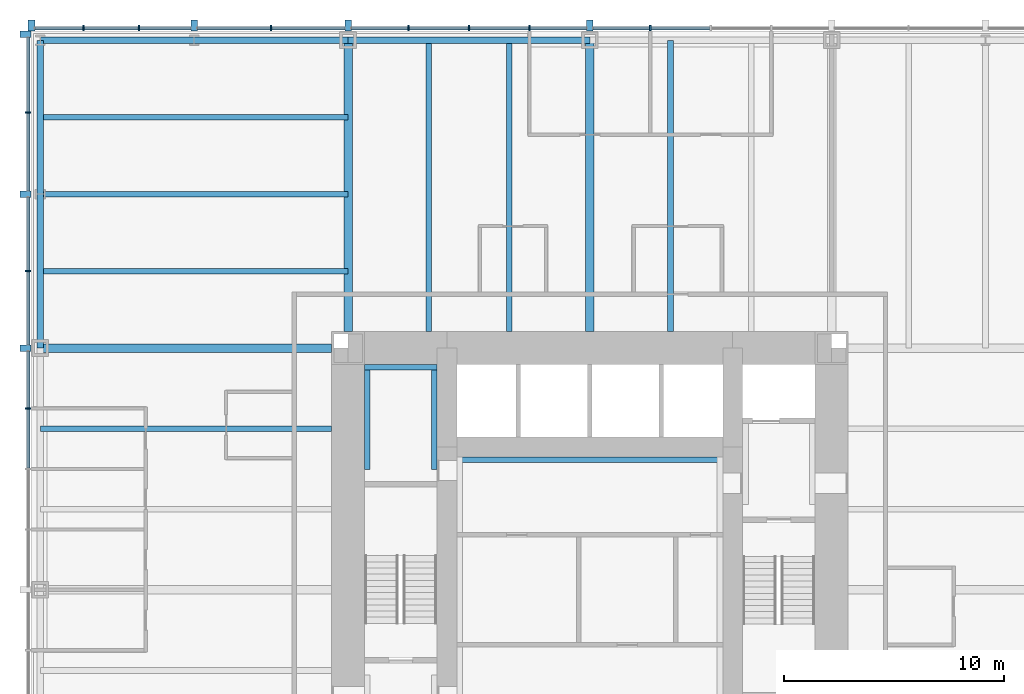
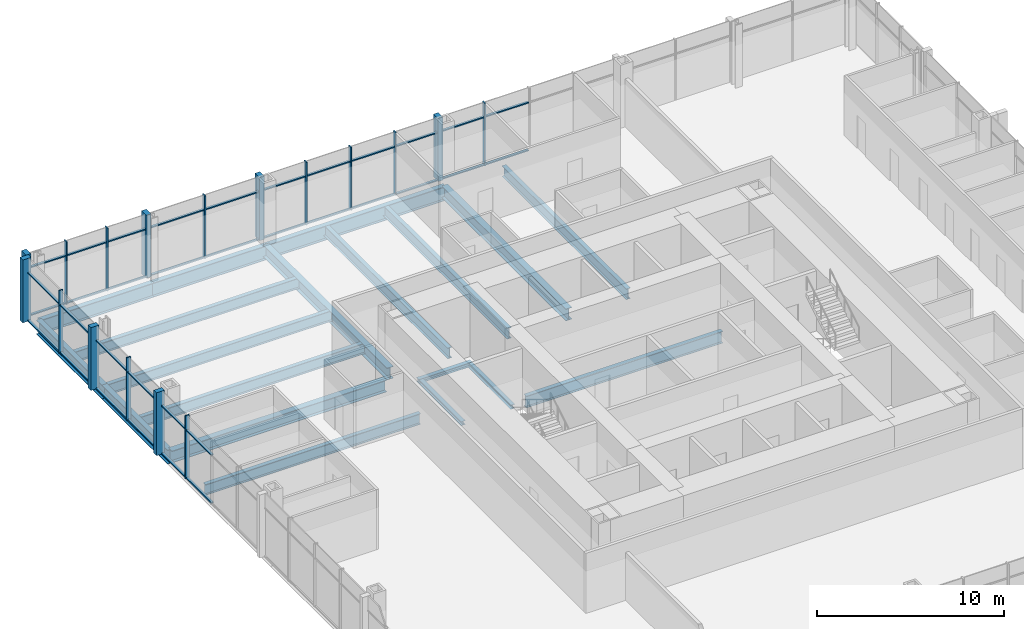
# One storey, part 5 of 12: 51 members, 19 beams, 2 elements without a shape of their own.
"""IFC4 building model written with IfcOpenShell, lengths in metres."""

from ifc_helpers import new_model, si_unit, direction, frame, origin, origin_2d, place, context, subcontext, project, spatial, rectangle, i_section, extrude, material, material_profile, profile_set, type_object, element, aggregate, save


model = new_model("IFC4")

# Units and contexts
model_context = context("Model", 3, precision=1e-05, world=origin(), true_north=direction((0.0, 1.0)))
body_context = subcontext(model_context, "Body", "Model", "MODEL_VIEW")
ifc_project = project(units=[si_unit("LENGTHUNIT", "METRE"), si_unit("AREAUNIT", "SQUARE_METRE"), si_unit("VOLUMEUNIT", "CUBIC_METRE"), si_unit("PLANEANGLEUNIT", "RADIAN"), si_unit("MASSUNIT", "GRAM", prefix="KILO")], contexts=[model_context])

# Site, building, storey
site_placement = place(None, origin())
site = spatial("IfcSite", under=ifc_project, at=site_placement, CompositionType="ELEMENT")
building_placement = place(site_placement, origin())
building = spatial("IfcBuilding", under=site, at=building_placement, Name="Trevanion Tower", CompositionType="ELEMENT")
storey_placement = place(building_placement, frame((0.0, 0.0, 48.800048828125)))
storey = spatial("IfcBuildingStorey", under=building, at=storey_placement, Name="L11", CompositionType="ELEMENT", Elevation=48.800048828125)

# Beams
ifc_material_1 = material(Name="Steel ASTM A992 Grade 50", Category="steel")
ifc_material_profile_1 = material_profile(ifc_material_1, i_section(OverallWidth=0.25390625, OverallDepth=0.700927734375, WebThickness=0.015380859375, FlangeThickness=0.02783203125, at=origin_2d()), Name="W27X129")
ifc_profile_set_1 = profile_set([ifc_material_profile_1], Name="Steel ASTM A992 Grade 50")
beam_type_1 = type_object("IfcBeamType", Name="B3 W27X129", PredefinedType="BEAM", material=ifc_profile_set_1)
for number, where, z_axis, x_axis, name in (
    (1, (3.666748046875, 11.75, -0.54052734375), (0.0, 1.0, 0.0), (-1.0, 0.0, 0.0), "B3 L11"),
    (2, (-3.666748046875, 11.75, -0.54052734375), (0.0, 1.0, 0.0), (-1.0, 0.0, 0.0), "B3 L11"),
    (3, (-7.333251953125, 11.75, -0.54052734375), (0.0, 1.0, 0.0), (-1.0, 0.0, 0.0), "B3 L11"),
    (4, (-11.75, 7.333251953125, -0.54052734375), (-1.0, 0.0, 0.0), (0.0, -1.0, 0.0), "B3 L11"),
):
    element("IfcBeam", number, at=place(storey_placement, frame(where, z_axis=z_axis, x_axis=x_axis)), inside=storey, type_object=beam_type_1, Name=name, PredefinedType="BEAM", context=body_context, shape_type="SweptSolid", body=[
        extrude(i_section(OverallWidth=0.25390625, OverallDepth=0.700927734375, WebThickness=0.015380859375, FlangeThickness=0.02783203125, at=origin_2d()), origin(), (0.0, 0.0, 1.0), 13.25),
    ])
ifc_material_2 = material(Name="Steel ASTM A992 Grade 50", Category="steel")
ifc_material_profile_2 = material_profile(ifc_material_2, i_section(OverallWidth=0.256591796875, OverallDepth=0.693359375, WebThickness=0.014404296875, FlangeThickness=0.023681640625, at=origin_2d()), Name="W27X114")
ifc_profile_set_2 = profile_set([ifc_material_profile_2], Name="Steel ASTM A992 Grade 50")
beam_type_2 = type_object("IfcBeamType", Name="B4 W27X114", PredefinedType="BEAM", material=ifc_profile_set_2)
for number, where, z_axis, x_axis, name in (
    (5, (-11.0, 14.5, -0.536865234375), (-1.0, 0.0, 0.0), (0.0, -1.0, 0.0), "B4 L11"),
    (6, (-11.0, 18.0, -0.536865234375), (-1.0, 0.0, 0.0), (0.0, -1.0, 0.0), "B4 L11"),
    (7, (-11.0, 21.5, -0.536865234375), (-1.0, 0.0, 0.0), (0.0, -1.0, 0.0), "B4 L11"),
):
    element("IfcBeam", number, at=place(storey_placement, frame(where, z_axis=z_axis, x_axis=x_axis)), inside=storey, type_object=beam_type_2, Name=name, PredefinedType="BEAM", context=body_context, shape_type="SweptSolid", body=[
        extrude(i_section(OverallWidth=0.256591796875, OverallDepth=0.693359375, WebThickness=0.014404296875, FlangeThickness=0.023681640625, at=origin_2d()), origin(), (0.0, 0.0, 1.0), 14.0),
    ])

# Curtain wall, members
ifc_material_3 = material(Name="Aluminium and glass", Category="aluminium")
curtain_wall_type = type_object("IfcCurtainWallType", Name="CW1 curtain wall", PredefinedType="USERDEFINED", material=ifc_material_3)
curtain_wall_1_placement = place(storey_placement, origin())
curtain_wall_1 = element("IfcCurtainWall", 8, at=curtain_wall_1_placement, inside=storey, type_object=curtain_wall_type, Name="CW1 L11 1", ObjectType="UNITISED CURTAIN WALL", PredefinedType="USERDEFINED")
ifc_material_4 = material(Name="Aluminium extrusion, anodised bronze", Category="aluminium")
ifc_material_profile_3 = material_profile(ifc_material_4, rectangle(XDim=0.074951171875, YDim=0.25, at=origin_2d()), Name="CW1 mullion")
ifc_profile_set_3 = profile_set([ifc_material_profile_3], Name="Aluminium extrusion, anodised bronze")
member_type_1 = type_object("IfcMemberType", Name="CW1 mullion", PredefinedType="MULLION", material=ifc_profile_set_3)
member_1_placement = place(storey_placement, frame((2.75, 25.550048828125, -0.18994140625), z_axis=(0.0, 0.0, 1.0), x_axis=(-1.0, 0.0, 0.0)))
member_1 = element("IfcMember", 9, at=member_1_placement, type_object=member_type_1, Name="CW1 mullion 8", PredefinedType="MULLION", context=body_context, shape_type="SweptSolid", body=[
    extrude(rectangle(XDim=0.074951171875, YDim=0.25, at=origin_2d()), origin(), (0.0, 0.0, 1.0), 4.099853515625),
])
member_2_placement = place(storey_placement, frame((-2.75, 25.550048828125, -0.18994140625), z_axis=(0.0, 0.0, 1.0), x_axis=(-1.0, 0.0, 0.0)))
member_2 = element("IfcMember", 10, at=member_2_placement, type_object=member_type_1, Name="CW1 mullion 10", PredefinedType="MULLION", context=body_context, shape_type="SweptSolid", body=[
    extrude(rectangle(XDim=0.074951171875, YDim=0.25, at=origin_2d()), origin(), (0.0, 0.0, 1.0), 4.099853515625),
])
member_3_placement = place(storey_placement, frame((-5.5, 25.550048828125, -0.18994140625), z_axis=(0.0, 0.0, 1.0), x_axis=(-1.0, 0.0, 0.0)))
member_3 = element("IfcMember", 11, at=member_3_placement, type_object=member_type_1, Name="CW1 mullion 11", PredefinedType="MULLION", context=body_context, shape_type="SweptSolid", body=[
    extrude(rectangle(XDim=0.074951171875, YDim=0.25, at=origin_2d()), origin(), (0.0, 0.0, 1.0), 4.099853515625),
])
member_4_placement = place(storey_placement, frame((-8.25, 25.550048828125, -0.18994140625), z_axis=(0.0, 0.0, 1.0), x_axis=(-1.0, 0.0, 0.0)))
member_4 = element("IfcMember", 12, at=member_4_placement, type_object=member_type_1, Name="CW1 mullion 12", PredefinedType="MULLION", context=body_context, shape_type="SweptSolid", body=[
    extrude(rectangle(XDim=0.074951171875, YDim=0.25, at=origin_2d()), origin(), (0.0, 0.0, 1.0), 4.099853515625),
])
member_5_placement = place(storey_placement, frame((-14.5, 25.550048828125, -0.18994140625), z_axis=(0.0, 0.0, 1.0), x_axis=(-1.0, 0.0, 0.0)))
member_5 = element("IfcMember", 13, at=member_5_placement, type_object=member_type_1, Name="CW1 mullion 14", PredefinedType="MULLION", context=body_context, shape_type="SweptSolid", body=[
    extrude(rectangle(XDim=0.074951171875, YDim=0.25, at=origin_2d()), origin(), (0.0, 0.0, 1.0), 4.099853515625),
])
member_6_placement = place(storey_placement, frame((-20.5166015625, 25.550048828125, -0.18994140625), z_axis=(0.0, 0.0, 1.0), x_axis=(-1.0, 0.0, 0.0)))
member_6 = element("IfcMember", 14, at=member_6_placement, type_object=member_type_1, Name="CW1 mullion 16", PredefinedType="MULLION", context=body_context, shape_type="SweptSolid", body=[
    extrude(rectangle(XDim=0.074951171875, YDim=0.25, at=origin_2d()), origin(), (0.0, 0.0, 1.0), 4.099853515625),
])
member_7_placement = place(storey_placement, frame((-23.033203125, 25.550048828125, -0.18994140625), z_axis=(0.0, 0.0, 1.0), x_axis=(-1.0, 0.0, 0.0)))
member_7 = element("IfcMember", 15, at=member_7_placement, type_object=member_type_1, Name="CW1 mullion 17", PredefinedType="MULLION", context=body_context, shape_type="SweptSolid", body=[
    extrude(rectangle(XDim=0.074951171875, YDim=0.25, at=origin_2d()), origin(), (0.0, 0.0, 1.0), 4.099853515625),
])

curtain_wall_2_placement = place(storey_placement, origin())
curtain_wall_2 = element("IfcCurtainWall", 16, at=curtain_wall_2_placement, inside=storey, type_object=curtain_wall_type, Name="CW1 L11 2", ObjectType="UNITISED CURTAIN WALL", PredefinedType="USERDEFINED")
member_8_placement = place(storey_placement, frame((-25.550048828125, 21.7099609375, -0.18994140625), z_axis=(0.0, 0.0, 1.0), x_axis=(0.0, -1.0, 0.0)))
member_8 = element("IfcMember", 17, at=member_8_placement, type_object=member_type_1, Name="CW1 mullion 2", PredefinedType="MULLION", context=body_context, shape_type="SweptSolid", body=[
    extrude(rectangle(XDim=0.074951171875, YDim=0.25, at=origin_2d()), origin(), (0.0, 0.0, 1.0), 4.099853515625),
])
member_9_placement = place(storey_placement, frame((-25.550048828125, 14.5, -0.18994140625), z_axis=(0.0, 0.0, 1.0), x_axis=(0.0, -1.0, 0.0)))
member_9 = element("IfcMember", 18, at=member_9_placement, type_object=member_type_1, Name="CW1 mullion 4", PredefinedType="MULLION", context=body_context, shape_type="SweptSolid", body=[
    extrude(rectangle(XDim=0.074951171875, YDim=0.25, at=origin_2d()), origin(), (0.0, 0.0, 1.0), 4.099853515625),
])
member_10_placement = place(storey_placement, frame((-25.550048828125, 8.25, -0.18994140625), z_axis=(0.0, 0.0, 1.0), x_axis=(0.0, -1.0, 0.0)))
member_10 = element("IfcMember", 19, at=member_10_placement, type_object=member_type_1, Name="CW1 mullion 6", PredefinedType="MULLION", context=body_context, shape_type="SweptSolid", body=[
    extrude(rectangle(XDim=0.074951171875, YDim=0.25, at=origin_2d()), origin(), (0.0, 0.0, 1.0), 4.099853515625),
])

# Member
ifc_material_5 = material(Name="Aluminium extrusion, anodised bronze", Category="aluminium")
ifc_material_profile_4 = material_profile(ifc_material_5, rectangle(XDim=0.300048828125, YDim=0.5, at=origin_2d()), Name="CW1 pier mullion")
ifc_profile_set_4 = profile_set([ifc_material_profile_4], Name="Aluminium extrusion, anodised bronze")
member_type_2 = type_object("IfcMemberType", Name="CW1 pier mullion", PredefinedType="MULLION", material=ifc_profile_set_4)
member_11_placement = place(storey_placement, frame((0.0, 25.675048828125, -0.18994140625), z_axis=(0.0, 0.0, 1.0), x_axis=(-1.0, 0.0, 0.0)))
member_11 = element("IfcMember", 20, at=member_11_placement, type_object=member_type_2, Name="CW1 pier mullion 9", PredefinedType="MULLION", context=body_context, shape_type="SweptSolid", body=[
    extrude(rectangle(XDim=0.300048828125, YDim=0.5, at=origin_2d()), origin(), (0.0, 0.0, 1.0), 4.099853515625),
])

member_12_placement = place(storey_placement, frame((-11.0, 25.675048828125, -0.18994140625), z_axis=(0.0, 0.0, 1.0), x_axis=(-1.0, 0.0, 0.0)))
member_12 = element("IfcMember", 21, at=member_12_placement, type_object=member_type_2, Name="CW1 pier mullion 13", PredefinedType="MULLION", context=body_context, shape_type="SweptSolid", body=[
    extrude(rectangle(XDim=0.300048828125, YDim=0.5, at=origin_2d()), origin(), (0.0, 0.0, 1.0), 4.099853515625),
])

member_13_placement = place(storey_placement, frame((-18.0, 25.675048828125, -0.18994140625), z_axis=(0.0, 0.0, 1.0), x_axis=(-1.0, 0.0, 0.0)))
member_13 = element("IfcMember", 22, at=member_13_placement, type_object=member_type_2, Name="CW1 pier mullion 15", PredefinedType="MULLION", context=body_context, shape_type="SweptSolid", body=[
    extrude(rectangle(XDim=0.300048828125, YDim=0.5, at=origin_2d()), origin(), (0.0, 0.0, 1.0), 4.099853515625),
])

member_14_placement = place(storey_placement, frame((-25.39990234375, 25.675048828125, -0.18994140625), z_axis=(0.0, 0.0, 1.0), x_axis=(-1.0, 0.0, 0.0)))
member_14 = element("IfcMember", 23, at=member_14_placement, type_object=member_type_2, Name="CW1 pier mullion 18", PredefinedType="MULLION", context=body_context, shape_type="SweptSolid", body=[
    extrude(rectangle(XDim=0.300048828125, YDim=0.5, at=origin_2d()), origin(), (0.0, 0.0, 1.0), 4.099853515625),
])

member_15_placement = place(storey_placement, frame((-25.675048828125, 25.27001953125, -0.18994140625), z_axis=(0.0, 0.0, 1.0), x_axis=(0.0, -1.0, 0.0)))
member_15 = element("IfcMember", 24, at=member_15_placement, type_object=member_type_2, Name="CW1 pier mullion 1", PredefinedType="MULLION", context=body_context, shape_type="SweptSolid", body=[
    extrude(rectangle(XDim=0.300048828125, YDim=0.5, at=origin_2d()), origin(), (0.0, 0.0, 1.0), 4.099853515625),
])

member_16_placement = place(storey_placement, frame((-25.675048828125, 18.0, -0.18994140625), z_axis=(0.0, 0.0, 1.0), x_axis=(0.0, -1.0, 0.0)))
member_16 = element("IfcMember", 25, at=member_16_placement, type_object=member_type_2, Name="CW1 pier mullion 3", PredefinedType="MULLION", context=body_context, shape_type="SweptSolid", body=[
    extrude(rectangle(XDim=0.300048828125, YDim=0.5, at=origin_2d()), origin(), (0.0, 0.0, 1.0), 4.099853515625),
])

member_17_placement = place(storey_placement, frame((-25.675048828125, 11.0, -0.18994140625), z_axis=(0.0, 0.0, 1.0), x_axis=(0.0, -1.0, 0.0)))
member_17 = element("IfcMember", 26, at=member_17_placement, type_object=member_type_2, Name="CW1 pier mullion 5", PredefinedType="MULLION", context=body_context, shape_type="SweptSolid", body=[
    extrude(rectangle(XDim=0.300048828125, YDim=0.5, at=origin_2d()), origin(), (0.0, 0.0, 1.0), 4.099853515625),
])

ifc_material_6 = material(Name="Aluminium extrusion, anodised bronze", Category="aluminium")
ifc_material_profile_5 = material_profile(ifc_material_6, rectangle(XDim=0.14990234375, YDim=0.074951171875, at=origin_2d()), Name="CW1 transom")
ifc_profile_set_5 = profile_set([ifc_material_profile_5], Name="Aluminium extrusion, anodised bronze")
member_type_3 = type_object("IfcMemberType", Name="CW1 transom", PredefinedType="USERDEFINED", material=ifc_profile_set_5)
member_18_placement = place(storey_placement, frame((5.46240234375, 25.550048828125, -0.152587890625), z_axis=(-1.0, 0.0, 0.0), x_axis=(0.0, -1.0, 0.0)))
member_18 = element("IfcMember", 27, at=member_18_placement, type_object=member_type_3, Name="CW1 transom 7.1", ObjectType="TRANSOM", PredefinedType="USERDEFINED", context=body_context, shape_type="SweptSolid", body=[
    extrude(rectangle(XDim=0.14990234375, YDim=0.074951171875, at=origin_2d()), origin(), (0.0, 0.0, 1.0), 2.6748046875),
])

member_19_placement = place(storey_placement, frame((5.46240234375, 25.550048828125, 2.9599609375), z_axis=(-1.0, 0.0, 0.0), x_axis=(0.0, -1.0, 0.0)))
member_19 = element("IfcMember", 28, at=member_19_placement, type_object=member_type_3, Name="CW1 transom 7.2", ObjectType="TRANSOM", PredefinedType="USERDEFINED", context=body_context, shape_type="SweptSolid", body=[
    extrude(rectangle(XDim=0.14990234375, YDim=0.074951171875, at=origin_2d()), origin(), (0.0, 0.0, 1.0), 2.6748046875),
])

member_20_placement = place(storey_placement, frame((2.71240234375, 25.550048828125, -0.152587890625), z_axis=(-1.0, 0.0, 0.0), x_axis=(0.0, -1.0, 0.0)))
member_20 = element("IfcMember", 29, at=member_20_placement, type_object=member_type_3, Name="CW1 transom 8.1", ObjectType="TRANSOM", PredefinedType="USERDEFINED", context=body_context, shape_type="SweptSolid", body=[
    extrude(rectangle(XDim=0.14990234375, YDim=0.074951171875, at=origin_2d()), origin(), (0.0, 0.0, 1.0), 2.5625),
])

member_21_placement = place(storey_placement, frame((2.71240234375, 25.550048828125, 2.9599609375), z_axis=(-1.0, 0.0, 0.0), x_axis=(0.0, -1.0, 0.0)))
member_21 = element("IfcMember", 30, at=member_21_placement, type_object=member_type_3, Name="CW1 transom 8.2", ObjectType="TRANSOM", PredefinedType="USERDEFINED", context=body_context, shape_type="SweptSolid", body=[
    extrude(rectangle(XDim=0.14990234375, YDim=0.074951171875, at=origin_2d()), origin(), (0.0, 0.0, 1.0), 2.5625),
])

member_22_placement = place(storey_placement, frame((-0.14990234375, 25.550048828125, -0.152587890625), z_axis=(-1.0, 0.0, 0.0), x_axis=(0.0, -1.0, 0.0)))
member_22 = element("IfcMember", 31, at=member_22_placement, type_object=member_type_3, Name="CW1 transom 9.1", ObjectType="TRANSOM", PredefinedType="USERDEFINED", context=body_context, shape_type="SweptSolid", body=[
    extrude(rectangle(XDim=0.14990234375, YDim=0.074951171875, at=origin_2d()), origin(), (0.0, 0.0, 1.0), 2.5625),
])

member_23_placement = place(storey_placement, frame((-0.14990234375, 25.550048828125, 2.9599609375), z_axis=(-1.0, 0.0, 0.0), x_axis=(0.0, -1.0, 0.0)))
member_23 = element("IfcMember", 32, at=member_23_placement, type_object=member_type_3, Name="CW1 transom 9.2", ObjectType="TRANSOM", PredefinedType="USERDEFINED", context=body_context, shape_type="SweptSolid", body=[
    extrude(rectangle(XDim=0.14990234375, YDim=0.074951171875, at=origin_2d()), origin(), (0.0, 0.0, 1.0), 2.5625),
])

member_24_placement = place(storey_placement, frame((-2.78759765625, 25.550048828125, -0.152587890625), z_axis=(-1.0, 0.0, 0.0), x_axis=(0.0, -1.0, 0.0)))
member_24 = element("IfcMember", 33, at=member_24_placement, type_object=member_type_3, Name="CW1 transom 10.1", ObjectType="TRANSOM", PredefinedType="USERDEFINED", context=body_context, shape_type="SweptSolid", body=[
    extrude(rectangle(XDim=0.14990234375, YDim=0.074951171875, at=origin_2d()), origin(), (0.0, 0.0, 1.0), 2.6748046875),
])

member_25_placement = place(storey_placement, frame((-2.78759765625, 25.550048828125, 2.9599609375), z_axis=(-1.0, 0.0, 0.0), x_axis=(0.0, -1.0, 0.0)))
member_25 = element("IfcMember", 34, at=member_25_placement, type_object=member_type_3, Name="CW1 transom 10.2", ObjectType="TRANSOM", PredefinedType="USERDEFINED", context=body_context, shape_type="SweptSolid", body=[
    extrude(rectangle(XDim=0.14990234375, YDim=0.074951171875, at=origin_2d()), origin(), (0.0, 0.0, 1.0), 2.6748046875),
])

member_26_placement = place(storey_placement, frame((-5.53759765625, 25.550048828125, -0.152587890625), z_axis=(-1.0, 0.0, 0.0), x_axis=(0.0, -1.0, 0.0)))
member_26 = element("IfcMember", 35, at=member_26_placement, type_object=member_type_3, Name="CW1 transom 11.1", ObjectType="TRANSOM", PredefinedType="USERDEFINED", context=body_context, shape_type="SweptSolid", body=[
    extrude(rectangle(XDim=0.14990234375, YDim=0.074951171875, at=origin_2d()), origin(), (0.0, 0.0, 1.0), 2.6748046875),
])

member_27_placement = place(storey_placement, frame((-5.53759765625, 25.550048828125, 2.9599609375), z_axis=(-1.0, 0.0, 0.0), x_axis=(0.0, -1.0, 0.0)))
member_27 = element("IfcMember", 36, at=member_27_placement, type_object=member_type_3, Name="CW1 transom 11.2", ObjectType="TRANSOM", PredefinedType="USERDEFINED", context=body_context, shape_type="SweptSolid", body=[
    extrude(rectangle(XDim=0.14990234375, YDim=0.074951171875, at=origin_2d()), origin(), (0.0, 0.0, 1.0), 2.6748046875),
])

member_28_placement = place(storey_placement, frame((-8.28759765625, 25.550048828125, -0.152587890625), z_axis=(-1.0, 0.0, 0.0), x_axis=(0.0, -1.0, 0.0)))
member_28 = element("IfcMember", 37, at=member_28_placement, type_object=member_type_3, Name="CW1 transom 12.1", ObjectType="TRANSOM", PredefinedType="USERDEFINED", context=body_context, shape_type="SweptSolid", body=[
    extrude(rectangle(XDim=0.14990234375, YDim=0.074951171875, at=origin_2d()), origin(), (0.0, 0.0, 1.0), 2.5625),
])

member_29_placement = place(storey_placement, frame((-8.28759765625, 25.550048828125, 2.9599609375), z_axis=(-1.0, 0.0, 0.0), x_axis=(0.0, -1.0, 0.0)))
member_29 = element("IfcMember", 38, at=member_29_placement, type_object=member_type_3, Name="CW1 transom 12.2", ObjectType="TRANSOM", PredefinedType="USERDEFINED", context=body_context, shape_type="SweptSolid", body=[
    extrude(rectangle(XDim=0.14990234375, YDim=0.074951171875, at=origin_2d()), origin(), (0.0, 0.0, 1.0), 2.5625),
])

member_30_placement = place(storey_placement, frame((-11.14990234375, 25.550048828125, -0.152587890625), z_axis=(-1.0, 0.0, 0.0), x_axis=(0.0, -1.0, 0.0)))
member_30 = element("IfcMember", 39, at=member_30_placement, type_object=member_type_3, Name="CW1 transom 13.1", ObjectType="TRANSOM", PredefinedType="USERDEFINED", context=body_context, shape_type="SweptSolid", body=[
    extrude(rectangle(XDim=0.14990234375, YDim=0.074951171875, at=origin_2d()), origin(), (0.0, 0.0, 1.0), 3.3125),
])

member_31_placement = place(storey_placement, frame((-11.14990234375, 25.550048828125, 2.9599609375), z_axis=(-1.0, 0.0, 0.0), x_axis=(0.0, -1.0, 0.0)))
member_31 = element("IfcMember", 40, at=member_31_placement, type_object=member_type_3, Name="CW1 transom 13.2", ObjectType="TRANSOM", PredefinedType="USERDEFINED", context=body_context, shape_type="SweptSolid", body=[
    extrude(rectangle(XDim=0.14990234375, YDim=0.074951171875, at=origin_2d()), origin(), (0.0, 0.0, 1.0), 3.3125),
])

member_32_placement = place(storey_placement, frame((-14.53759765625, 25.550048828125, -0.152587890625), z_axis=(-1.0, 0.0, 0.0), x_axis=(0.0, -1.0, 0.0)))
member_32 = element("IfcMember", 41, at=member_32_placement, type_object=member_type_3, Name="CW1 transom 14.1", ObjectType="TRANSOM", PredefinedType="USERDEFINED", context=body_context, shape_type="SweptSolid", body=[
    extrude(rectangle(XDim=0.14990234375, YDim=0.074951171875, at=origin_2d()), origin(), (0.0, 0.0, 1.0), 3.3125),
])

member_33_placement = place(storey_placement, frame((-14.53759765625, 25.550048828125, 2.9599609375), z_axis=(-1.0, 0.0, 0.0), x_axis=(0.0, -1.0, 0.0)))
member_33 = element("IfcMember", 42, at=member_33_placement, type_object=member_type_3, Name="CW1 transom 14.2", ObjectType="TRANSOM", PredefinedType="USERDEFINED", context=body_context, shape_type="SweptSolid", body=[
    extrude(rectangle(XDim=0.14990234375, YDim=0.074951171875, at=origin_2d()), origin(), (0.0, 0.0, 1.0), 3.3125),
])

member_34_placement = place(storey_placement, frame((-18.14990234375, 25.550048828125, -0.152587890625), z_axis=(-1.0, 0.0, 0.0), x_axis=(0.0, -1.0, 0.0)))
member_34 = element("IfcMember", 43, at=member_34_placement, type_object=member_type_3, Name="CW1 transom 15.1", ObjectType="TRANSOM", PredefinedType="USERDEFINED", context=body_context, shape_type="SweptSolid", body=[
    extrude(rectangle(XDim=0.14990234375, YDim=0.074951171875, at=origin_2d()), origin(), (0.0, 0.0, 1.0), 2.329345703125),
])

member_35_placement = place(storey_placement, frame((-18.14990234375, 25.550048828125, 2.9599609375), z_axis=(-1.0, 0.0, 0.0), x_axis=(0.0, -1.0, 0.0)))
member_35 = element("IfcMember", 44, at=member_35_placement, type_object=member_type_3, Name="CW1 transom 15.2", ObjectType="TRANSOM", PredefinedType="USERDEFINED", context=body_context, shape_type="SweptSolid", body=[
    extrude(rectangle(XDim=0.14990234375, YDim=0.074951171875, at=origin_2d()), origin(), (0.0, 0.0, 1.0), 2.329345703125),
])

member_36_placement = place(storey_placement, frame((-20.55419921875, 25.550048828125, -0.152587890625), z_axis=(-1.0, 0.0, 0.0), x_axis=(0.0, -1.0, 0.0)))
member_36 = element("IfcMember", 45, at=member_36_placement, type_object=member_type_3, Name="CW1 transom 16.1", ObjectType="TRANSOM", PredefinedType="USERDEFINED", context=body_context, shape_type="SweptSolid", body=[
    extrude(rectangle(XDim=0.14990234375, YDim=0.074951171875, at=origin_2d()), origin(), (0.0, 0.0, 1.0), 2.441650390625),
])

member_37_placement = place(storey_placement, frame((-20.55419921875, 25.550048828125, 2.9599609375), z_axis=(-1.0, 0.0, 0.0), x_axis=(0.0, -1.0, 0.0)))
member_37 = element("IfcMember", 46, at=member_37_placement, type_object=member_type_3, Name="CW1 transom 16.2", ObjectType="TRANSOM", PredefinedType="USERDEFINED", context=body_context, shape_type="SweptSolid", body=[
    extrude(rectangle(XDim=0.14990234375, YDim=0.074951171875, at=origin_2d()), origin(), (0.0, 0.0, 1.0), 2.441650390625),
])

member_38_placement = place(storey_placement, frame((-23.07080078125, 25.550048828125, -0.152587890625), z_axis=(-1.0, 0.0, 0.0), x_axis=(0.0, -1.0, 0.0)))
member_38 = element("IfcMember", 47, at=member_38_placement, type_object=member_type_3, Name="CW1 transom 17.1", ObjectType="TRANSOM", PredefinedType="USERDEFINED", context=body_context, shape_type="SweptSolid", body=[
    extrude(rectangle(XDim=0.14990234375, YDim=0.074951171875, at=origin_2d()), origin(), (0.0, 0.0, 1.0), 2.17919921875),
])

member_39_placement = place(storey_placement, frame((-23.07080078125, 25.550048828125, 2.9599609375), z_axis=(-1.0, 0.0, 0.0), x_axis=(0.0, -1.0, 0.0)))
member_39 = element("IfcMember", 48, at=member_39_placement, type_object=member_type_3, Name="CW1 transom 17.2", ObjectType="TRANSOM", PredefinedType="USERDEFINED", context=body_context, shape_type="SweptSolid", body=[
    extrude(rectangle(XDim=0.14990234375, YDim=0.074951171875, at=origin_2d()), origin(), (0.0, 0.0, 1.0), 2.17919921875),
])

aggregate(curtain_wall_1, [member_1, member_11, member_2, member_3, member_4, member_12, member_5, member_13, member_6, member_7, member_14, member_18, member_19, member_20, member_21, member_22, member_23, member_24, member_25, member_26, member_27, member_28, member_29, member_30, member_31, member_32, member_33, member_34, member_35, member_36, member_37, member_38, member_39])

member_40_placement = place(storey_placement, frame((-25.550048828125, 25.1201171875, -0.152587890625), z_axis=(0.0, -1.0, 0.0), x_axis=(1.0, 0.0, 0.0)))
member_40 = element("IfcMember", 49, at=member_40_placement, type_object=member_type_3, Name="CW1 transom 1.1", ObjectType="TRANSOM", PredefinedType="USERDEFINED", context=body_context, shape_type="SweptSolid", body=[
    extrude(rectangle(XDim=0.14990234375, YDim=0.074951171875, at=origin_2d()), origin(), (0.0, 0.0, 1.0), 3.37255859375),
])

member_41_placement = place(storey_placement, frame((-25.550048828125, 25.1201171875, 2.9599609375), z_axis=(0.0, -1.0, 0.0), x_axis=(1.0, 0.0, 0.0)))
member_41 = element("IfcMember", 50, at=member_41_placement, type_object=member_type_3, Name="CW1 transom 1.2", ObjectType="TRANSOM", PredefinedType="USERDEFINED", context=body_context, shape_type="SweptSolid", body=[
    extrude(rectangle(XDim=0.14990234375, YDim=0.074951171875, at=origin_2d()), origin(), (0.0, 0.0, 1.0), 3.37255859375),
])

member_42_placement = place(storey_placement, frame((-25.550048828125, 21.672607421875, -0.152587890625), z_axis=(0.0, -1.0, 0.0), x_axis=(1.0, 0.0, 0.0)))
member_42 = element("IfcMember", 51, at=member_42_placement, type_object=member_type_3, Name="CW1 transom 2.1", ObjectType="TRANSOM", PredefinedType="USERDEFINED", context=body_context, shape_type="SweptSolid", body=[
    extrude(rectangle(XDim=0.14990234375, YDim=0.074951171875, at=origin_2d()), origin(), (0.0, 0.0, 1.0), 3.522705078125),
])

member_43_placement = place(storey_placement, frame((-25.550048828125, 21.672607421875, 2.9599609375), z_axis=(0.0, -1.0, 0.0), x_axis=(1.0, 0.0, 0.0)))
member_43 = element("IfcMember", 52, at=member_43_placement, type_object=member_type_3, Name="CW1 transom 2.2", ObjectType="TRANSOM", PredefinedType="USERDEFINED", context=body_context, shape_type="SweptSolid", body=[
    extrude(rectangle(XDim=0.14990234375, YDim=0.074951171875, at=origin_2d()), origin(), (0.0, 0.0, 1.0), 3.522705078125),
])

member_44_placement = place(storey_placement, frame((-25.550048828125, 17.85009765625, -0.152587890625), z_axis=(0.0, -1.0, 0.0), x_axis=(1.0, 0.0, 0.0)))
member_44 = element("IfcMember", 53, at=member_44_placement, type_object=member_type_3, Name="CW1 transom 3.1", ObjectType="TRANSOM", PredefinedType="USERDEFINED", context=body_context, shape_type="SweptSolid", body=[
    extrude(rectangle(XDim=0.14990234375, YDim=0.074951171875, at=origin_2d()), origin(), (0.0, 0.0, 1.0), 3.3125),
])

member_45_placement = place(storey_placement, frame((-25.550048828125, 17.85009765625, 2.9599609375), z_axis=(0.0, -1.0, 0.0), x_axis=(1.0, 0.0, 0.0)))
member_45 = element("IfcMember", 54, at=member_45_placement, type_object=member_type_3, Name="CW1 transom 3.2", ObjectType="TRANSOM", PredefinedType="USERDEFINED", context=body_context, shape_type="SweptSolid", body=[
    extrude(rectangle(XDim=0.14990234375, YDim=0.074951171875, at=origin_2d()), origin(), (0.0, 0.0, 1.0), 3.3125),
])

member_46_placement = place(storey_placement, frame((-25.550048828125, 14.46240234375, -0.152587890625), z_axis=(0.0, -1.0, 0.0), x_axis=(1.0, 0.0, 0.0)))
member_46 = element("IfcMember", 55, at=member_46_placement, type_object=member_type_3, Name="CW1 transom 4.1", ObjectType="TRANSOM", PredefinedType="USERDEFINED", context=body_context, shape_type="SweptSolid", body=[
    extrude(rectangle(XDim=0.14990234375, YDim=0.074951171875, at=origin_2d()), origin(), (0.0, 0.0, 1.0), 3.3125),
])

member_47_placement = place(storey_placement, frame((-25.550048828125, 14.46240234375, 2.9599609375), z_axis=(0.0, -1.0, 0.0), x_axis=(1.0, 0.0, 0.0)))
member_47 = element("IfcMember", 56, at=member_47_placement, type_object=member_type_3, Name="CW1 transom 4.2", ObjectType="TRANSOM", PredefinedType="USERDEFINED", context=body_context, shape_type="SweptSolid", body=[
    extrude(rectangle(XDim=0.14990234375, YDim=0.074951171875, at=origin_2d()), origin(), (0.0, 0.0, 1.0), 3.3125),
])

member_48_placement = place(storey_placement, frame((-25.550048828125, 10.85009765625, -0.152587890625), z_axis=(0.0, -1.0, 0.0), x_axis=(1.0, 0.0, 0.0)))
member_48 = element("IfcMember", 57, at=member_48_placement, type_object=member_type_3, Name="CW1 transom 5.1", ObjectType="TRANSOM", PredefinedType="USERDEFINED", context=body_context, shape_type="SweptSolid", body=[
    extrude(rectangle(XDim=0.14990234375, YDim=0.074951171875, at=origin_2d()), origin(), (0.0, 0.0, 1.0), 2.5625),
])

member_49_placement = place(storey_placement, frame((-25.550048828125, 10.85009765625, 2.9599609375), z_axis=(0.0, -1.0, 0.0), x_axis=(1.0, 0.0, 0.0)))
member_49 = element("IfcMember", 58, at=member_49_placement, type_object=member_type_3, Name="CW1 transom 5.2", ObjectType="TRANSOM", PredefinedType="USERDEFINED", context=body_context, shape_type="SweptSolid", body=[
    extrude(rectangle(XDim=0.14990234375, YDim=0.074951171875, at=origin_2d()), origin(), (0.0, 0.0, 1.0), 2.5625),
])

member_50_placement = place(storey_placement, frame((-25.550048828125, 8.21240234375, -0.152587890625), z_axis=(0.0, -1.0, 0.0), x_axis=(1.0, 0.0, 0.0)))
member_50 = element("IfcMember", 59, at=member_50_placement, type_object=member_type_3, Name="CW1 transom 6.1", ObjectType="TRANSOM", PredefinedType="USERDEFINED", context=body_context, shape_type="SweptSolid", body=[
    extrude(rectangle(XDim=0.14990234375, YDim=0.074951171875, at=origin_2d()), origin(), (0.0, 0.0, 1.0), 2.6748046875),
])

member_51_placement = place(storey_placement, frame((-25.550048828125, 8.21240234375, 2.9599609375), z_axis=(0.0, -1.0, 0.0), x_axis=(1.0, 0.0, 0.0)))
member_51 = element("IfcMember", 60, at=member_51_placement, type_object=member_type_3, Name="CW1 transom 6.2", ObjectType="TRANSOM", PredefinedType="USERDEFINED", context=body_context, shape_type="SweptSolid", body=[
    extrude(rectangle(XDim=0.14990234375, YDim=0.074951171875, at=origin_2d()), origin(), (0.0, 0.0, 1.0), 2.6748046875),
])

aggregate(curtain_wall_2, [member_15, member_8, member_16, member_9, member_17, member_10, member_40, member_41, member_42, member_43, member_44, member_45, member_46, member_47, member_48, member_49, member_50, member_51])

# Beams
ifc_material_7 = material(Name="Steel ASTM A992 Grade 50", Category="steel")
ifc_material_profile_6 = material_profile(ifc_material_7, i_section(OverallWidth=0.381103515625, OverallDepth=0.77978515625, WebThickness=0.01806640625, FlangeThickness=0.0302734375, at=origin_2d()), Name="W30X191")
ifc_profile_set_6 = profile_set([ifc_material_profile_6], Name="Steel ASTM A992 Grade 50")
beam_type_3 = type_object("IfcBeamType", Name="G2 W30X191", PredefinedType="BEAM", material=ifc_profile_set_6)
for number, where, z_axis, x_axis, name in (
    (61, (0.0, 11.75, -0.579833984375), (0.0, 1.0, 0.0), (-1.0, 0.0, 0.0), "G2 L11"),
    (62, (-11.0, 11.75, -0.579833984375), (0.0, 1.0, 0.0), (-1.0, 0.0, 0.0), "G2 L11"),
    (63, (-11.75, 11.0, -0.579833984375), (-1.0, 0.0, 0.0), (0.0, -1.0, 0.0), "G2 L11"),
):
    element("IfcBeam", number, at=place(storey_placement, frame(where, z_axis=z_axis, x_axis=x_axis)), inside=storey, type_object=beam_type_3, Name=name, PredefinedType="BEAM", context=body_context, shape_type="SweptSolid", body=[
        extrude(i_section(OverallWidth=0.381103515625, OverallDepth=0.77978515625, WebThickness=0.01806640625, FlangeThickness=0.0302734375, at=origin_2d()), origin(), (0.0, 0.0, 1.0), 13.25),
    ])
ifc_material_8 = material(Name="Steel ASTM A992 Grade 50", Category="steel")
ifc_material_profile_7 = material_profile(ifc_material_8, i_section(OverallWidth=0.256591796875, OverallDepth=0.26416015625, WebThickness=0.011962890625, FlangeThickness=0.01953125, at=origin_2d()), Name="W10X68")
ifc_profile_set_7 = profile_set([ifc_material_profile_7], Name="Steel ASTM A992 Grade 50")
beam_type_4 = type_object("IfcBeamType", Name="LB1 W10X68", PredefinedType="BEAM", material=ifc_profile_set_7)
for number, where, z_axis, x_axis, name in (
    (64, (-10.12158203125, 5.47509765625, -0.33203125), (0.0, 1.0, 0.0), (-1.0, 0.0, 0.0), "LB1 L11"),
    (65, (-7.078369140625, 5.47509765625, -0.33203125), (0.0, 1.0, 0.0), (-1.0, 0.0, 0.0), "LB1 L11"),
):
    element("IfcBeam", number, at=place(storey_placement, frame(where, z_axis=z_axis, x_axis=x_axis)), inside=storey, type_object=beam_type_4, Name=name, PredefinedType="BEAM", context=body_context, shape_type="SweptSolid", body=[
        extrude(i_section(OverallWidth=0.256591796875, OverallDepth=0.26416015625, WebThickness=0.011962890625, FlangeThickness=0.01953125, at=origin_2d()), origin(), (0.0, 0.0, 1.0), 4.77490234375),
    ])
beam_1_placement = place(storey_placement, frame((-10.25, 10.12158203125, -0.33203125), z_axis=(1.0, 0.0, 0.0), x_axis=(0.0, 1.0, 0.0)))
element("IfcBeam", 66, at=beam_1_placement, inside=storey, type_object=beam_type_4, Name="LB1 L11", PredefinedType="BEAM", context=body_context, shape_type="SweptSolid", body=[
    extrude(i_section(OverallWidth=0.256591796875, OverallDepth=0.26416015625, WebThickness=0.011962890625, FlangeThickness=0.01953125, at=origin_2d()), origin(), (0.0, 0.0, 1.0), 3.300048828125),
])
ifc_material_9 = material(Name="Steel ASTM A992 Grade 50", Category="steel")
ifc_material_profile_8 = material_profile(ifc_material_9, i_section(OverallWidth=0.2666015625, OverallDepth=0.76953125, WebThickness=0.015625, FlangeThickness=0.025390625, at=origin_2d()), Name="W30X132")
ifc_profile_set_8 = profile_set([ifc_material_profile_8], Name="Steel ASTM A992 Grade 50")
beam_type_5 = type_object("IfcBeamType", Name="LB3 W30X132", PredefinedType="BEAM", material=ifc_profile_set_8)
beam_2_placement = place(storey_placement, frame((-6.050048828125, 5.91650390625, -0.5849609375), z_axis=(1.0, 0.0, 0.0), x_axis=(0.0, 1.0, 0.0)))
element("IfcBeam", 67, at=beam_2_placement, inside=storey, type_object=beam_type_5, Name="LB3 L11", PredefinedType="BEAM", context=body_context, shape_type="SweptSolid", body=[
    extrude(i_section(OverallWidth=0.2666015625, OverallDepth=0.76953125, WebThickness=0.015625, FlangeThickness=0.025390625, at=origin_2d()), origin(), (0.0, 0.0, 1.0), 12.10009765625),
])
ifc_material_10 = material(Name="Steel ASTM A992 Grade 50", Category="steel")
ifc_material_profile_9 = material_profile(ifc_material_10, i_section(OverallWidth=0.307373046875, OverallDepth=0.927001953125, WebThickness=0.01953125, FlangeThickness=0.031982421875, at=origin_2d()), Name="W36X194")
ifc_profile_set_9 = profile_set([ifc_material_profile_9], Name="Steel ASTM A992 Grade 50")
beam_type_6 = type_object("IfcBeamType", Name="SB2 W36X194", PredefinedType="SPANDREL", material=ifc_profile_set_9)
beam_3_placement = place(storey_placement, frame((0.0, 25.0, -0.653564453125), z_axis=(-1.0, 0.0, 0.0), x_axis=(0.0, -1.0, 0.0)))
element("IfcBeam", 68, at=beam_3_placement, inside=storey, type_object=beam_type_6, Name="SB2 L11", PredefinedType="SPANDREL", context=body_context, shape_type="SweptSolid", body=[
    extrude(i_section(OverallWidth=0.307373046875, OverallDepth=0.927001953125, WebThickness=0.01953125, FlangeThickness=0.031982421875, at=origin_2d()), origin(), (0.0, 0.0, 1.0), 11.0),
])
for number, where, z_axis, x_axis, name in (
    (69, (-11.0, 25.0, -0.653564453125), (-1.0, 0.0, 0.0), (0.0, -1.0, 0.0), "SB2 L11"),
    (70, (-18.0, 25.0, -0.653564453125), (-1.0, 0.0, 0.0), (0.0, -1.0, 0.0), "SB2 L11"),
    (71, (-25.0, 25.0, -0.653564453125), (0.0, -1.0, 0.0), (1.0, 0.0, 0.0), "SB2 L11"),
    (72, (-25.0, 18.0, -0.653564453125), (0.0, -1.0, 0.0), (1.0, 0.0, 0.0), "SB2 L11"),
):
    element("IfcBeam", number, at=place(storey_placement, frame(where, z_axis=z_axis, x_axis=x_axis)), inside=storey, type_object=beam_type_6, Name=name, PredefinedType="SPANDREL", context=body_context, shape_type="SweptSolid", body=[
        extrude(i_section(OverallWidth=0.307373046875, OverallDepth=0.927001953125, WebThickness=0.01953125, FlangeThickness=0.031982421875, at=origin_2d()), origin(), (0.0, 0.0, 1.0), 7.0),
    ])

save(model, "model.ifc")
